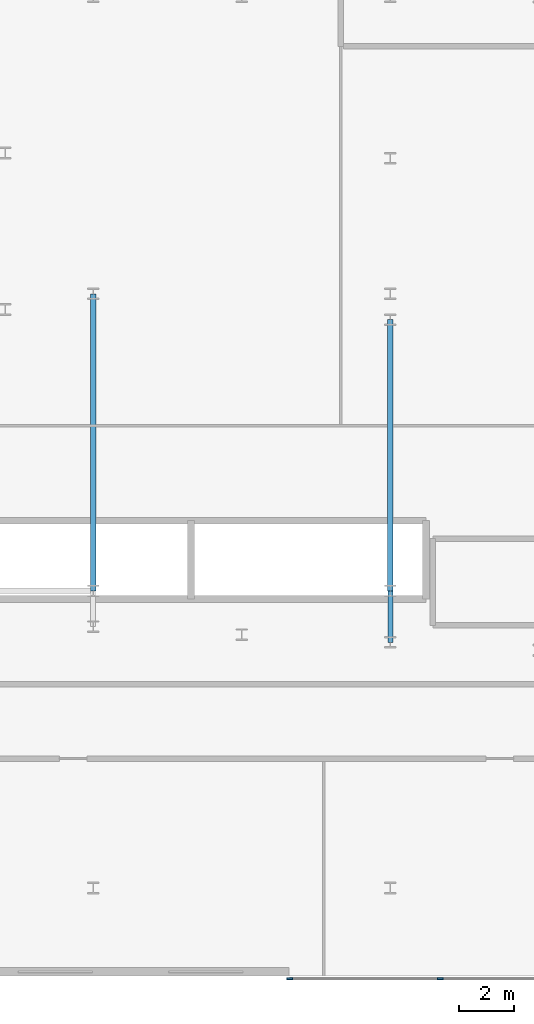
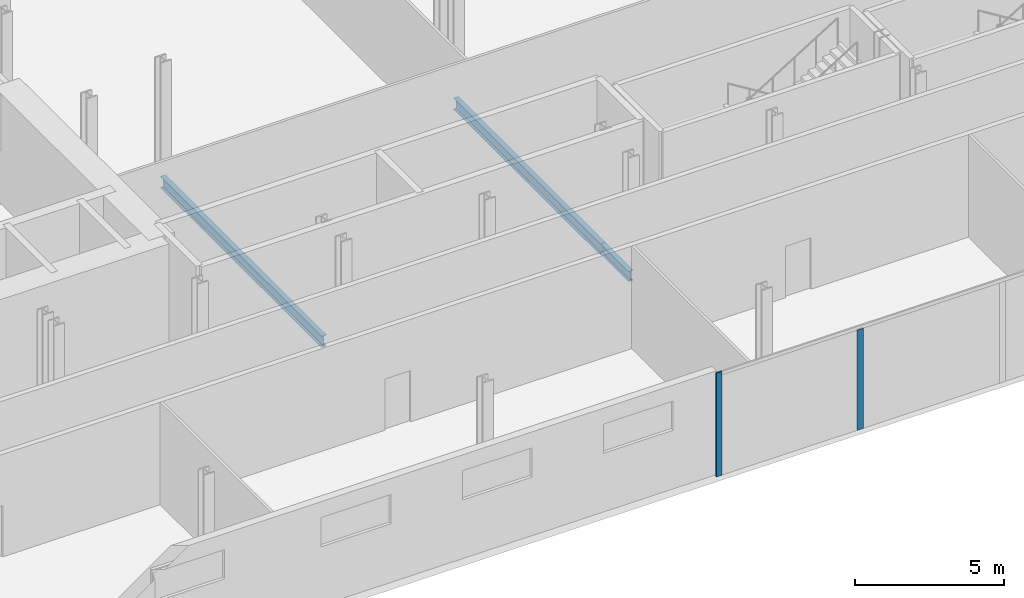
# One storey, part 8 of 43: 3 beams, 2 members, 1 element without a shape of its own.
"""IFC4 building model written with IfcOpenShell, lengths in metres."""

from ifc_helpers import new_model, si_unit, direction, frame, origin, origin_2d, place, context, subcontext, project, spatial, rectangle, i_section, extrude, material, layer, layer_set, material_profile, profile_set, type_object, element, aggregate, save


model = new_model("IFC4")

# Units and contexts
model_context = context("Model", 3, precision=1e-05, world=origin(), true_north=direction((0.0, 1.0)))
body_context = subcontext(model_context, "Body", "Model", "MODEL_VIEW")
ifc_project = project(units=[si_unit("LENGTHUNIT", "METRE"), si_unit("AREAUNIT", "SQUARE_METRE"), si_unit("VOLUMEUNIT", "CUBIC_METRE"), si_unit("PLANEANGLEUNIT", "RADIAN"), si_unit("MASSUNIT", "GRAM", prefix="KILO")], contexts=[model_context])

# Site, building, storey
site_placement = place(None, origin())
site = spatial("IfcSite", under=ifc_project, at=site_placement, CompositionType="ELEMENT")
building_placement = place(site_placement, origin())
building = spatial("IfcBuilding", under=site, at=building_placement, Name="Kheshtan School and Residences Tower", CompositionType="ELEMENT")
storey_placement = place(building_placement, frame((0.0, 0.0, 26.0)))
storey = spatial("IfcBuildingStorey", under=building, at=storey_placement, Name="L05", CompositionType="ELEMENT", Elevation=26.0)

# Beams
ifc_material_1 = material(Name="Steel ASTM A992 Grade 50", Category="steel")
ifc_material_profile_1 = material_profile(ifc_material_1, i_section(OverallWidth=0.180908203125, OverallDepth=0.4169921875, WebThickness=0.010986328125, FlangeThickness=0.018310546875, FilletRadius=0.012451171875, at=origin_2d()), Name="W410x85")
ifc_profile_set_1 = profile_set([ifc_material_profile_1], Name="Steel ASTM A992 Grade 50")
beam_type_1 = type_object("IfcBeamType", Name="Beam PB1 W410x85 ASTM A992 Grade 50", PredefinedType="BEAM", material=ifc_profile_set_1)
beam_1_placement = place(storey_placement, frame((69.199951171875, 22.1298828125, -0.508544921875), z_axis=(0.0, 1.0, 0.0), x_axis=(-1.0, 0.0, 0.0)))
element("IfcBeam", 1, at=beam_1_placement, inside=storey, type_object=beam_type_1, Name="Podium floor beam PB1", PredefinedType="BEAM", context=body_context, shape_type="SweptSolid", body=[
    extrude(i_section(OverallWidth=0.180908203125, OverallDepth=0.4169921875, WebThickness=0.010986328125, FlangeThickness=0.018310546875, FilletRadius=0.012451171875, at=origin_2d()), origin(), (0.0, 0.0, 1.0), 1.8701171875),
])
ifc_material_profile_2 = material_profile(ifc_material_1, i_section(OverallWidth=0.194091796875, OverallDepth=0.468994140625, WebThickness=0.0126953125, FlangeThickness=0.0205078125, FilletRadius=0.01416015625, at=origin_2d()), Name="W460x106")
ifc_profile_set_2 = profile_set([ifc_material_profile_2], Name="Steel ASTM A992 Grade 50")
beam_type_2 = type_object("IfcBeamType", Name="Beam PB2 W460x106 ASTM A992 Grade 50", PredefinedType="BEAM", material=ifc_profile_set_2)
beam_2_placement = place(storey_placement, frame((58.39990234375, 24.0, -0.534423828125), z_axis=(0.0, 1.0, 0.0), x_axis=(-1.0, 0.0, 0.0)))
element("IfcBeam", 2, at=beam_2_placement, inside=storey, type_object=beam_type_2, Name="Podium floor beam PB2", PredefinedType="BEAM", context=body_context, shape_type="SweptSolid", body=[
    extrude(i_section(OverallWidth=0.194091796875, OverallDepth=0.468994140625, WebThickness=0.0126953125, FlangeThickness=0.0205078125, FilletRadius=0.01416015625, at=origin_2d()), origin(), (0.0, 0.0, 1.0), 10.800048828125),
])
beam_3_placement = place(storey_placement, frame((69.199951171875, 24.0, -0.534423828125), z_axis=(0.0, 1.0, 0.0), x_axis=(-1.0, 0.0, 0.0)))
element("IfcBeam", 3, at=beam_3_placement, inside=storey, type_object=beam_type_2, Name="Podium floor beam PB2", PredefinedType="BEAM", context=body_context, shape_type="SweptSolid", body=[
    extrude(i_section(OverallWidth=0.194091796875, OverallDepth=0.468994140625, WebThickness=0.0126953125, FlangeThickness=0.0205078125, FilletRadius=0.01416015625, at=origin_2d()), origin(), (0.0, 0.0, 1.0), 9.860107421875),
])

# Curtain wall, members
ifc_material_2 = material(Name="Clear low-e glass in thermally broken aluminium frame", Category="aluminium")
ifc_layer = layer(ifc_material_2, 0.22509765625)
ifc_layer_set = layer_set([ifc_layer], Name="Curtain wall CW-P")
curtain_wall_type = type_object("IfcCurtainWallType", Name="Curtain wall CW-P", PredefinedType="NOTDEFINED", material=ifc_layer_set)
curtain_wall_placement = place(storey_placement, origin())
curtain_wall = element("IfcCurtainWall", 4, at=curtain_wall_placement, inside=storey, type_object=curtain_wall_type, Name="Curtain wall CWP12a", PredefinedType="NOTDEFINED")
ifc_material_3 = material(Name="Thermally broken aluminium, dark bronze anodised", Category="aluminium")
ifc_material_profile_3 = material_profile(ifc_material_3, rectangle(XDim=0.06005859375, YDim=0.22509765625, at=origin_2d()), Name="CW-P mullion 60x225")
ifc_profile_set_3 = profile_set([ifc_material_profile_3], Name="Thermally broken aluminium, dark bronze anodised")
member_type = type_object("IfcMemberType", Name="CW-P mullion 60x225", PredefinedType="MULLION", material=ifc_profile_set_3)
member_1_placement = place(storey_placement, frame((71.01806640625, 9.89990234375, 0.0), z_axis=(0.0, 0.0, 1.0), x_axis=(0.0, -1.0, 0.0)))
member_1 = element("IfcMember", 5, at=member_1_placement, type_object=member_type, Name="CWP12a mullion 11", PredefinedType="MULLION", context=body_context, shape_type="SweptSolid", body=[
    extrude(rectangle(XDim=0.06005859375, YDim=0.22509765625, at=origin_2d()), origin(), (0.0, 0.0, 1.0), 4.110107421875),
])
member_2_placement = place(storey_placement, frame((65.550048828125, 9.89990234375, 0.0), z_axis=(0.0, 0.0, 1.0), x_axis=(0.0, -1.0, 0.0)))
member_2 = element("IfcMember", 6, at=member_2_placement, type_object=member_type, Name="CWP12a mullion 12", PredefinedType="MULLION", context=body_context, shape_type="SweptSolid", body=[
    extrude(rectangle(XDim=0.06005859375, YDim=0.22509765625, at=origin_2d()), origin(), (0.0, 0.0, 1.0), 4.25),
])
aggregate(curtain_wall, [member_1, member_2])

save(model, "model.ifc")
